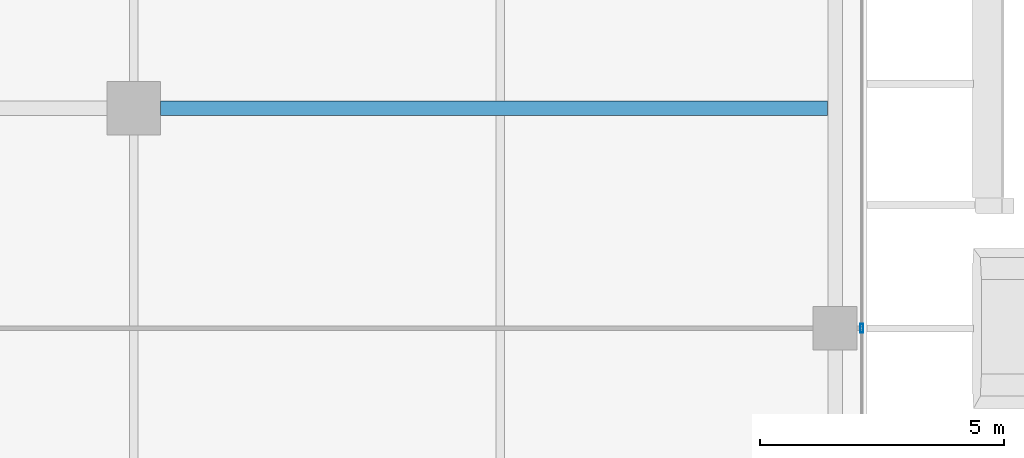
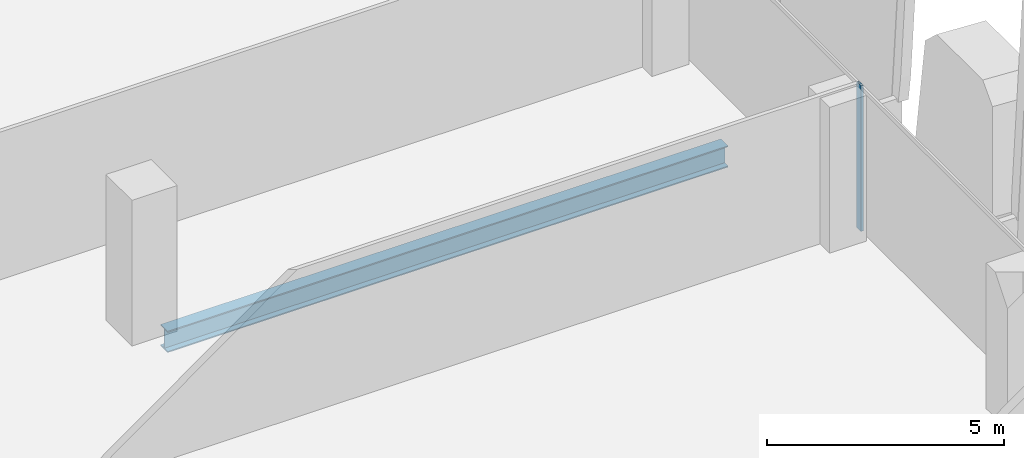
# One storey, part 12 of 35: 1 beam, 1 member, 1 element without a shape of its own.
"""IFC4 building model written with IfcOpenShell, lengths in metres."""

from ifc_helpers import new_model, si_unit, direction, frame, origin, origin_2d, place, context, subcontext, project, spatial, hollow_rectangle, i_section, extrude, source, transform, mapped, material, material_profile, profile_set, type_object, element, aggregate, save


model = new_model("IFC4")

# Units and contexts
model_context = context("Model", 3, precision=1e-05, world=origin(), true_north=direction((0.0, 1.0)))
body_context = subcontext(model_context, "Body", "Model", "MODEL_VIEW")
ifc_project = project(units=[si_unit("LENGTHUNIT", "METRE"), si_unit("AREAUNIT", "SQUARE_METRE"), si_unit("VOLUMEUNIT", "CUBIC_METRE"), si_unit("PLANEANGLEUNIT", "RADIAN"), si_unit("MASSUNIT", "GRAM", prefix="KILO")], contexts=[model_context])

# Site, building, storey
site_placement = place(None, origin())
site = spatial("IfcSite", under=ifc_project, at=site_placement, CompositionType="ELEMENT")
building_placement = place(site_placement, origin())
building = spatial("IfcBuilding", under=site, at=building_placement, Name="Khomas Fold Tower", CompositionType="ELEMENT")
storey_placement = place(building_placement, frame((0.0, 0.0, 246.199951171875)))
storey = spatial("IfcBuildingStorey", under=building, at=storey_placement, Name="L55", CompositionType="ELEMENT", Elevation=246.199951171875)

# Beam
ifc_material_1 = material(Name="Steel S355", Category="steel")
ifc_material_profile_1 = material_profile(ifc_material_1, i_section(OverallWidth=0.300048828125, OverallDepth=0.550048828125, WebThickness=0.014892578125, FlangeThickness=0.029052734375, at=origin_2d()), Name="HE 550 B")
ifc_profile_set_1 = profile_set([ifc_material_profile_1], Name="Steel S355")
beam_type = type_object("IfcBeamType", Name="HE 550 B beam GB4", PredefinedType="BEAM", material=ifc_profile_set_1)
shared_shape_1 = source(origin(), body_context, "Body", "SweptSolid", [
    extrude(i_section(OverallWidth=0.300048828125, OverallDepth=0.550048828125, WebThickness=0.014892578125, FlangeThickness=0.029052734375, at=origin_2d()), origin(), (0.0, 0.0, 1.0), 13.64990234375),
])
beam_placement = place(storey_placement, frame((35.050048828125, 31.5, -0.52490234375), z_axis=(1.0, 0.0, 0.0), x_axis=(0.0, 1.0, 0.0)))
element("IfcBeam", 1, at=beam_placement, inside=storey, type_object=beam_type, Name="GB4", PredefinedType="BEAM", context=body_context, shape_type="MappedRepresentation", body=[
    mapped(shared_shape_1, transform((0.0, 0.0, 0.0))),
])

# Curtain wall, member
ifc_material_2 = material(Name="Aluminium framed double glazing", Category="aluminium")
curtain_wall_type = type_object("IfcCurtainWallType", Name="SK-Unitised clear-glass wall, office floors CW2", PredefinedType="NOTDEFINED", material=ifc_material_2)
curtain_wall_placement = place(storey_placement, origin())
curtain_wall = element("IfcCurtainWall", 2, at=curtain_wall_placement, inside=storey, type_object=curtain_wall_type, Name="CW2 run L55 03-0", PredefinedType="NOTDEFINED")
ifc_material_3 = material(Name="Aluminium", Category="aluminium")
ifc_material_profile_2 = material_profile(ifc_material_3, hollow_rectangle(XDim=0.06005859375, YDim=0.179931640625, WallThickness=0.00390625, at=origin_2d()), Name="SK-Unitised clear-glass wall, office floors mullion CW2-M")
ifc_profile_set_2 = profile_set([ifc_material_profile_2], Name="Aluminium")
member_type = type_object("IfcMemberType", Name="SK-Unitised clear-glass wall, office floors mullion CW2-M", PredefinedType="MULLION", material=ifc_profile_set_2)
shared_shape_2 = source(origin(), body_context, "Body", "SweptSolid", [
    extrude(hollow_rectangle(XDim=0.06005859375, YDim=0.179931640625, WallThickness=0.00390625, at=origin_2d()), origin(), (0.0, 0.0, 1.0), 3.75),
])
member_placement = place(storey_placement, frame((49.39990234375, 27.0, 0.0), z_axis=(0.0, 0.0, 1.0), x_axis=(-1.0, 0.0, 0.0)))
member = element("IfcMember", 3, at=member_placement, type_object=member_type, Name="CW2 mullion 4", PredefinedType="MULLION", context=body_context, shape_type="MappedRepresentation", body=[
    mapped(shared_shape_2, transform((0.0, 0.0, 0.0))),
])
aggregate(curtain_wall, [member])

save(model, "model.ifc")
